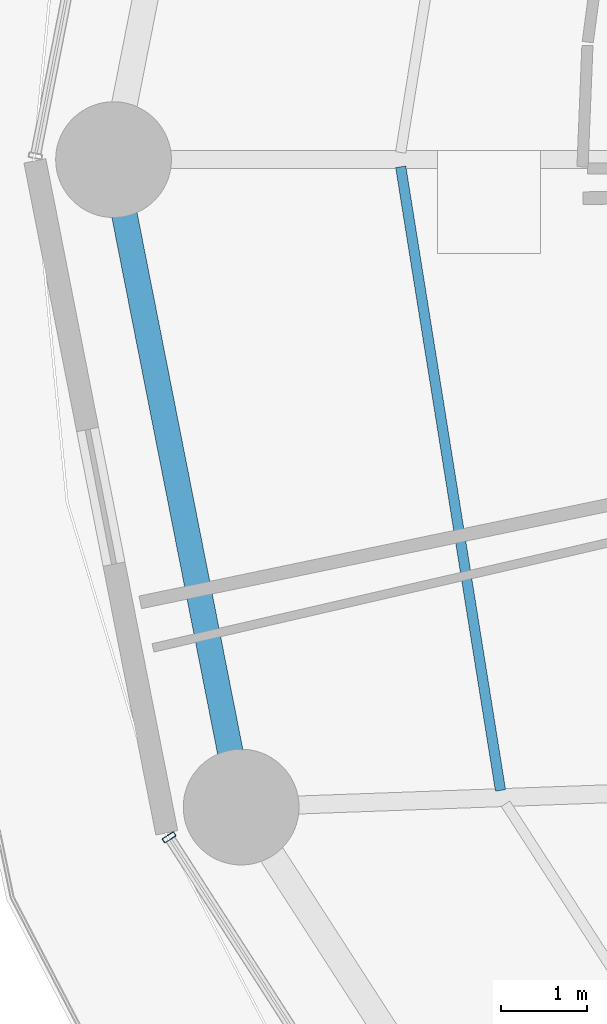
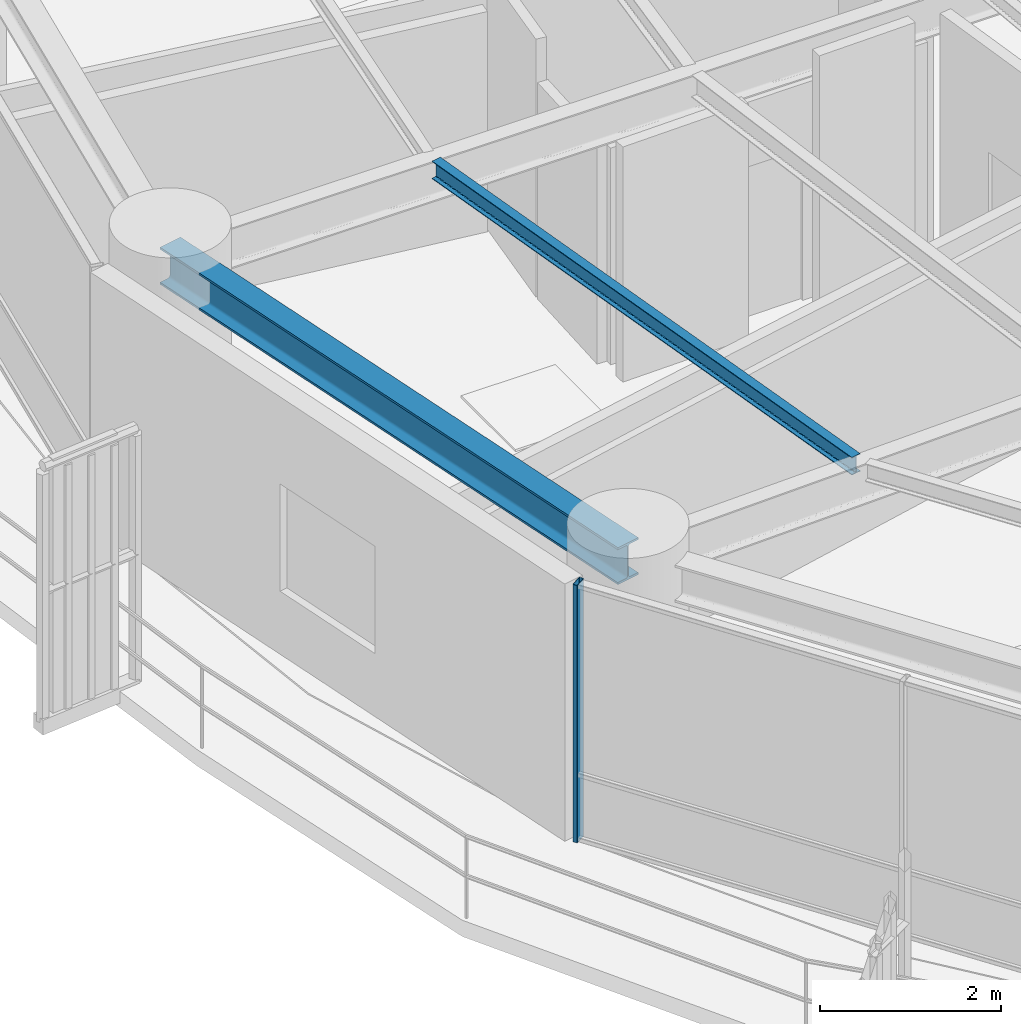
# One storey, part 6 of 35: 2 beams, 1 member, 1 element without a shape of its own.
"""IFC4 building model written with IfcOpenShell, lengths in metres."""

from ifc_helpers import new_model, si_unit, direction, frame, origin, origin_2d, place, context, subcontext, project, spatial, hollow_rectangle, i_section, extrude, material, layer, layer_set, material_profile, profile_set, type_object, element, aggregate, save


model = new_model("IFC4")

# Units and contexts
model_context = context("Model", 3, precision=1e-05, world=origin(), true_north=direction((0.0, 1.0)))
body_context = subcontext(model_context, "Body", "Model", "MODEL_VIEW")
ifc_project = project(units=[si_unit("LENGTHUNIT", "METRE"), si_unit("AREAUNIT", "SQUARE_METRE"), si_unit("VOLUMEUNIT", "CUBIC_METRE"), si_unit("PLANEANGLEUNIT", "RADIAN"), si_unit("MASSUNIT", "GRAM", prefix="KILO")], contexts=[model_context])

# Site, building, storey
site_placement = place(None, origin())
site = spatial("IfcSite", under=ifc_project, at=site_placement, CompositionType="ELEMENT")
building_placement = place(site_placement, origin())
building = spatial("IfcBuilding", under=site, at=building_placement, Name="Kelanora Arch Commons", CompositionType="ELEMENT")
storey_placement = place(building_placement, frame((0.0, 0.0, 87.60009765625)))
storey = spatial("IfcBuildingStorey", under=building, at=storey_placement, Name="L22", CompositionType="ELEMENT", Elevation=87.60009765625)

# Beams
ifc_material_1 = material(Name="Steel S355", Category="steel")
ifc_material_profile_1 = material_profile(ifc_material_1, i_section(OverallWidth=0.1201171875, OverallDepth=0.239990234375, WebThickness=0.006103515625, FlangeThickness=0.009765625, FilletRadius=0.014892578125, at=origin_2d()), Name="IPE240")
ifc_profile_set_1 = profile_set([ifc_material_profile_1], Name="Steel S355")
beam_type_1 = type_object("IfcBeamType", Name="BM-JST-02", PredefinedType="JOIST", material=ifc_profile_set_1)
beam_1_placement = place(storey_placement, frame((52.66943359375, 57.916015625, 3.369873046875), z_axis=(0.157999549894, -0.987439184068, 0.0), x_axis=(0.987439184068, 0.157999549894, 0.0)))
element("IfcBeam", 1, at=beam_1_placement, inside=storey, type_object=beam_type_1, Name="Secondary Chord Joist BJC-18 L22", PredefinedType="JOIST", context=body_context, shape_type="SweptSolid", body=[
    extrude(i_section(OverallWidth=0.1201171875, OverallDepth=0.239990234375, WebThickness=0.006103515625, FlangeThickness=0.009765625, FilletRadius=0.014892578125, at=origin_2d()), origin(), (0.0, 0.0, 1.0), 7.365966796875),
])
ifc_material_profile_2 = material_profile(ifc_material_1, i_section(OverallWidth=0.300048828125, OverallDepth=0.5, WebThickness=0.014404296875, FlangeThickness=0.028076171875, FilletRadius=0.027099609375, at=origin_2d()), Name="HEB500")
ifc_profile_set_2 = profile_set([ifc_material_profile_2], Name="Steel S355")
beam_type_2 = type_object("IfcBeamType", Name="BM-SPN-Z2", PredefinedType="SPANDREL", material=ifc_profile_set_2)
beam_2_placement = place(storey_placement, frame((49.320068359375, 58.0, 3.239990234375), z_axis=(0.19335825777, -0.981128220037, 0.0), x_axis=(0.981128220037, 0.19335825777, 0.0)))
element("IfcBeam", 2, at=beam_2_placement, inside=storey, type_object=beam_type_2, Name="Perimeter Spandrel Beam BS-18 L22", PredefinedType="SPANDREL", context=body_context, shape_type="SweptSolid", body=[
    extrude(i_section(OverallWidth=0.300048828125, OverallDepth=0.5, WebThickness=0.014404296875, FlangeThickness=0.028076171875, FilletRadius=0.027099609375, at=origin_2d()), origin(), (0.0, 0.0, 1.0), 7.697021484375),
])

# Curtain wall, member
ifc_material_2 = material(Name="Terracotta ceramic-fritted low-E glass and aluminium", Category="masonry")
ifc_layer = layer(ifc_material_2, 0.159912109375)
ifc_layer_set = layer_set([ifc_layer], Name="Terracotta ceramic-fritted low-E glass and aluminium")
curtain_wall_type = type_object("IfcCurtainWallType", Name="CW-SYS-01", PredefinedType="NOTDEFINED", material=ifc_layer_set)
curtain_wall_placement = place(storey_placement, origin())
curtain_wall = element("IfcCurtainWall", 3, at=curtain_wall_placement, inside=storey, type_object=curtain_wall_type, Name="Unitised Curtain Wall L22-B10", PredefinedType="NOTDEFINED")
ifc_material_3 = material(Name="Powder-coated aluminium terracotta", Category="masonry")
ifc_material_profile_3 = material_profile(ifc_material_3, hollow_rectangle(XDim=0.159912109375, YDim=0.06005859375, WallThickness=0.0048828125, InnerFilletRadius=0.0048828125, OuterFilletRadius=0.010009765625, at=origin_2d()), Name="CWM160x60")
ifc_profile_set_3 = profile_set([ifc_material_profile_3], Name="Powder-coated aluminium terracotta")
member_type = type_object("IfcMemberType", Name="CWM-STD", PredefinedType="MULLION", material=ifc_profile_set_3)
member_placement = place(storey_placement, frame((49.96826171875, 50.095703125, 0.0), z_axis=(0.0, 0.0, 1.0), x_axis=(0.841268883088, 0.540616931244, 0.0)))
member = element("IfcMember", 4, at=member_placement, type_object=member_type, Name="CW-01 mullion 1", PredefinedType="MULLION", context=body_context, shape_type="SweptSolid", body=[
    extrude(hollow_rectangle(XDim=0.159912109375, YDim=0.06005859375, WallThickness=0.0048828125, InnerFilletRadius=0.0048828125, OuterFilletRadius=0.010009765625, at=origin_2d()), origin(), (0.0, 0.0, 1.0), 3.474853515625),
])
aggregate(curtain_wall, [member])

save(model, "model.ifc")
